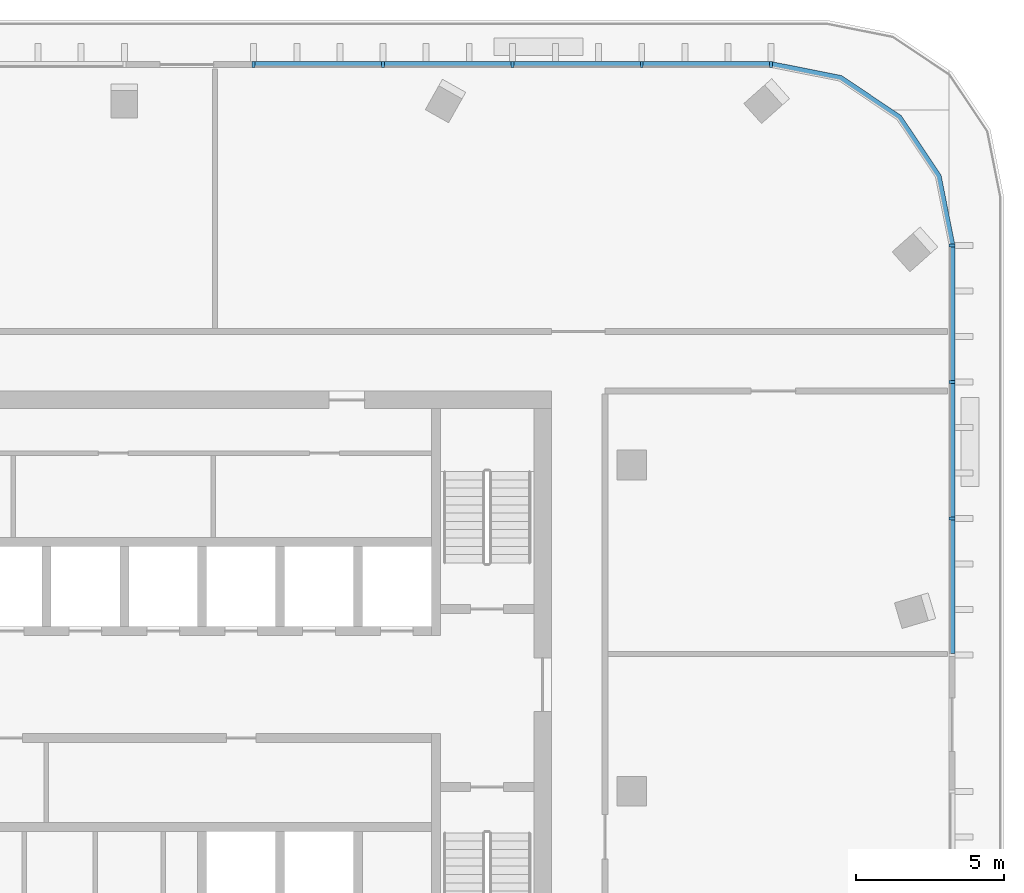
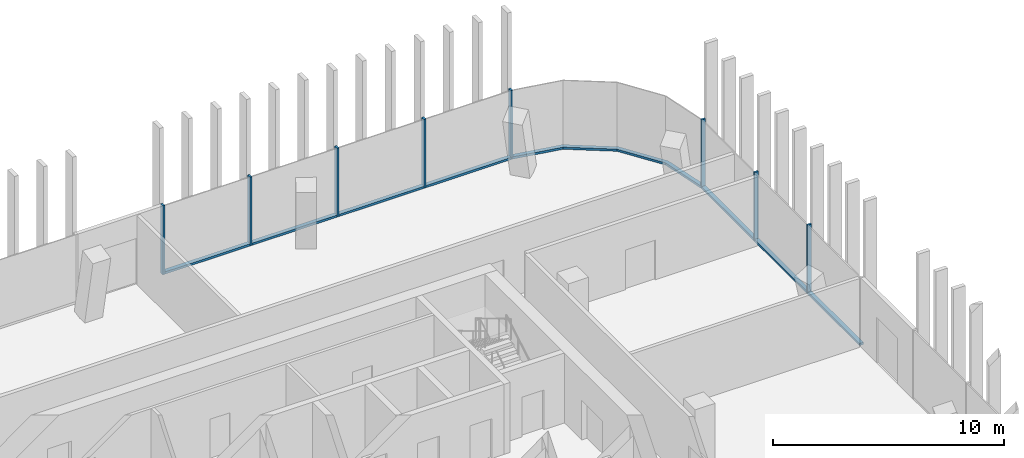
# One storey, part 5 of 16: 16 members, 3 elements without a shape of their own.
"""IFC4 building model written with IfcOpenShell, lengths in metres."""

from ifc_helpers import new_model, si_unit, direction, frame, origin, origin_2d, place, context, subcontext, project, spatial, polyline, rectangle, outline, extrude, material, material_profile, profile_set, type_object, element, aggregate, save


model = new_model("IFC4")

# Units and contexts
model_context = context("Model", 3, precision=1e-05, world=origin(), true_north=direction((0.0, 1.0)))
body_context = subcontext(model_context, "Body", "Model", "MODEL_VIEW")
ifc_project = project(units=[si_unit("LENGTHUNIT", "METRE"), si_unit("AREAUNIT", "SQUARE_METRE"), si_unit("VOLUMEUNIT", "CUBIC_METRE"), si_unit("PLANEANGLEUNIT", "RADIAN"), si_unit("MASSUNIT", "GRAM", prefix="KILO")], contexts=[model_context])

# Site, building, storey
site_placement = place(None, origin())
site = spatial("IfcSite", under=ifc_project, at=site_placement, CompositionType="ELEMENT")
building_placement = place(site_placement, origin())
building = spatial("IfcBuilding", under=site, at=building_placement, Name="Mopane Tessera Tower", CompositionType="ELEMENT")
storey_placement = place(building_placement, frame((0.0, 0.0, 321.39990234375)))
storey = spatial("IfcBuildingStorey", under=building, at=storey_placement, Name="L70", CompositionType="ELEMENT", Elevation=321.39990234375)

# Curtain wall, members
ifc_material_1 = material(Name="Aluminium frame", Category="aluminium")
curtain_wall_type = type_object("IfcCurtainWallType", Name="Unitised curtain wall", PredefinedType="NOTDEFINED", material=ifc_material_1)
curtain_wall_1_placement = place(storey_placement, origin())
curtain_wall_1 = element("IfcCurtainWall", 1, at=curtain_wall_1_placement, inside=storey, type_object=curtain_wall_type, Name="e:cw:L70:E:5", PredefinedType="NOTDEFINED")
ifc_material_2 = material(Name="Aluminium frame", Category="aluminium")
ifc_material_profile_1 = material_profile(ifc_material_2, rectangle(XDim=0.10009765625, YDim=0.199951171875, at=origin_2d()))
ifc_profile_set_1 = profile_set([ifc_material_profile_1], Name="Aluminium frame")
member_type_1 = type_object("IfcMemberType", Name="Aluminium mullion 100 x 200", PredefinedType="MULLION", material=ifc_profile_set_1)
member_1_placement = place(storey_placement, frame((27.89990234375, 9.199951171875, 0.0), z_axis=(0.0, 0.0, 1.0), x_axis=(0.0, 1.0, 0.0)))
member_1 = element("IfcMember", 2, at=member_1_placement, type_object=member_type_1, Name="e:cw:L70:E:5:mu6", PredefinedType="MULLION", context=body_context, shape_type="SweptSolid", body=[
    extrude(rectangle(XDim=0.10009765625, YDim=0.199951171875, at=origin_2d()), origin(), (0.0, 0.0, 1.0), 3.650146484375),
])
member_2_placement = place(storey_placement, frame((27.89990234375, 13.800048828125, 0.0), z_axis=(0.0, 0.0, 1.0), x_axis=(0.0, 1.0, 0.0)))
member_2 = element("IfcMember", 3, at=member_2_placement, type_object=member_type_1, Name="e:cw:L70:E:5:mu7", PredefinedType="MULLION", context=body_context, shape_type="SweptSolid", body=[
    extrude(rectangle(XDim=0.10009765625, YDim=0.199951171875, at=origin_2d()), origin(), (0.0, 0.0, 1.0), 3.650146484375),
])
member_3_placement = place(storey_placement, frame((27.89990234375, 18.39990234375, 0.0), z_axis=(0.0, 0.0, 1.0), x_axis=(0.0, 1.0, 0.0)))
member_3 = element("IfcMember", 4, at=member_3_placement, type_object=member_type_1, Name="e:cw:L70:E:5:mu8", PredefinedType="MULLION", context=body_context, shape_type="SweptSolid", body=[
    extrude(rectangle(XDim=0.10009765625, YDim=0.199951171875, at=origin_2d()), origin(), (0.0, 0.0, 1.0), 3.650146484375),
])

curtain_wall_2_placement = place(storey_placement, origin())
curtain_wall_2 = element("IfcCurtainWall", 5, at=curtain_wall_2_placement, inside=storey, type_object=curtain_wall_type, Name="e:cw:L70:N:0", PredefinedType="NOTDEFINED")
member_4_placement = place(storey_placement, frame((21.800048828125, 24.5, 0.0), z_axis=(0.0, 0.0, 1.0), x_axis=(-1.0, 0.0, 0.0)))
member_4 = element("IfcMember", 6, at=member_4_placement, type_object=member_type_1, Name="e:cw:L70:N:0:mu0", PredefinedType="MULLION", context=body_context, shape_type="SweptSolid", body=[
    extrude(rectangle(XDim=0.10009765625, YDim=0.199951171875, at=origin_2d()), origin(), (0.0, 0.0, 1.0), 3.650146484375),
])
member_5_placement = place(storey_placement, frame((17.43994140625, 24.5, 0.0), z_axis=(0.0, 0.0, 1.0), x_axis=(-1.0, 0.0, 0.0)))
member_5 = element("IfcMember", 7, at=member_5_placement, type_object=member_type_1, Name="e:cw:L70:N:0:mu1", PredefinedType="MULLION", context=body_context, shape_type="SweptSolid", body=[
    extrude(rectangle(XDim=0.10009765625, YDim=0.199951171875, at=origin_2d()), origin(), (0.0, 0.0, 1.0), 3.650146484375),
])
member_6_placement = place(storey_placement, frame((13.080078125, 24.5, 0.0), z_axis=(0.0, 0.0, 1.0), x_axis=(-1.0, 0.0, 0.0)))
member_6 = element("IfcMember", 8, at=member_6_placement, type_object=member_type_1, Name="e:cw:L70:N:0:mu2", PredefinedType="MULLION", context=body_context, shape_type="SweptSolid", body=[
    extrude(rectangle(XDim=0.10009765625, YDim=0.199951171875, at=origin_2d()), origin(), (0.0, 0.0, 1.0), 3.650146484375),
])
member_7_placement = place(storey_placement, frame((8.719970703125, 24.5, 0.0), z_axis=(0.0, 0.0, 1.0), x_axis=(-1.0, 0.0, 0.0)))
member_7 = element("IfcMember", 9, at=member_7_placement, type_object=member_type_1, Name="e:cw:L70:N:0:mu3", PredefinedType="MULLION", context=body_context, shape_type="SweptSolid", body=[
    extrude(rectangle(XDim=0.10009765625, YDim=0.199951171875, at=origin_2d()), origin(), (0.0, 0.0, 1.0), 3.650146484375),
])
member_8_placement = place(storey_placement, frame((4.360107421875, 24.5, 0.0), z_axis=(0.0, 0.0, 1.0), x_axis=(-1.0, 0.0, 0.0)))
member_8 = element("IfcMember", 10, at=member_8_placement, type_object=member_type_1, Name="e:cw:L70:N:0:mu4", PredefinedType="MULLION", context=body_context, shape_type="SweptSolid", body=[
    extrude(rectangle(XDim=0.10009765625, YDim=0.199951171875, at=origin_2d()), origin(), (0.0, 0.0, 1.0), 3.650146484375),
])

# Member
ifc_material_3 = material(Name="Aluminium frame", Category="aluminium")
ifc_material_profile_2 = material_profile(ifc_material_3, rectangle(XDim=0.199951171875, YDim=0.1201171875, at=origin_2d()))
ifc_profile_set_2 = profile_set([ifc_material_profile_2], Name="Aluminium frame")
member_type_2 = type_object("IfcMemberType", Name="Aluminium transom 200 x 120", PredefinedType="USERDEFINED", material=ifc_profile_set_2)
member_9_placement = place(storey_placement, frame((27.89990234375, 4.64990234375, 0.06005859375), z_axis=(0.0, 1.0, 0.0), x_axis=(-1.0, 0.0, 0.0)))
member_9 = element("IfcMember", 11, at=member_9_placement, type_object=member_type_2, Name="e:cw:L70:E:5:tr5", ObjectType="TRANSOM", PredefinedType="USERDEFINED", context=body_context, shape_type="SweptSolid", body=[
    extrude(rectangle(XDim=0.199951171875, YDim=0.1201171875, at=origin_2d()), origin(), (0.0, 0.0, 1.0), 4.5),
])

member_10_placement = place(storey_placement, frame((27.89990234375, 9.25, 0.06005859375), z_axis=(0.0, 1.0, 0.0), x_axis=(-1.0, 0.0, 0.0)))
member_10 = element("IfcMember", 12, at=member_10_placement, type_object=member_type_2, Name="e:cw:L70:E:5:tr6", ObjectType="TRANSOM", PredefinedType="USERDEFINED", context=body_context, shape_type="SweptSolid", body=[
    extrude(rectangle(XDim=0.199951171875, YDim=0.1201171875, at=origin_2d()), origin(), (0.0, 0.0, 1.0), 4.5),
])

member_11_placement = place(storey_placement, frame((27.89990234375, 13.85009765625, 0.06005859375), z_axis=(0.0, 1.0, 0.0), x_axis=(-1.0, 0.0, 0.0)))
member_11 = element("IfcMember", 13, at=member_11_placement, type_object=member_type_2, Name="e:cw:L70:E:5:tr7", ObjectType="TRANSOM", PredefinedType="USERDEFINED", context=body_context, shape_type="SweptSolid", body=[
    extrude(rectangle(XDim=0.199951171875, YDim=0.1201171875, at=origin_2d()), origin(), (0.0, 0.0, 1.0), 4.5),
])

aggregate(curtain_wall_1, [member_1, member_2, member_3, member_9, member_10, member_11])

# Curtain wall, member
curtain_wall_3_placement = place(storey_placement, origin())
curtain_wall_3 = element("IfcCurtainWall", 14, at=curtain_wall_3_placement, inside=storey, type_object=curtain_wall_type, Name="e:cw:L70:CE", PredefinedType="NOTDEFINED")
member_12_placement = place(storey_placement, origin())
member_12 = element("IfcMember", 15, at=member_12_placement, type_object=member_type_2, Name="e:cw:L70:CE:tr", ObjectType="TRANSOM", PredefinedType="USERDEFINED", context=body_context, shape_type="SweptSolid", body=[
    extrude(outline(polyline([(27.800048828125, 18.39990234375), (27.34326171875, 20.696044921875), (26.042724609375, 22.642578125), (24.09619140625, 23.943359375), (21.800048828125, 24.39990234375), (21.800048828125, 24.60009765625), (24.172607421875, 24.128173828125), (26.18408203125, 22.7841796875), (27.528076171875, 20.772705078125), (28.0, 18.39990234375), (27.800048828125, 18.39990234375)])), origin(), (0.0, 0.0, 1.0), 0.1201171875),
])
aggregate(curtain_wall_3, [member_12])

# Member
member_13_placement = place(storey_placement, frame((21.75, 24.5, 0.06005859375), z_axis=(-1.0, 0.0, 0.0), x_axis=(0.0, -1.0, 0.0)))
member_13 = element("IfcMember", 16, at=member_13_placement, type_object=member_type_2, Name="e:cw:L70:N:0:tr0", ObjectType="TRANSOM", PredefinedType="USERDEFINED", context=body_context, shape_type="SweptSolid", body=[
    extrude(rectangle(XDim=0.199951171875, YDim=0.1201171875, at=origin_2d()), origin(), (0.0, 0.0, 1.0), 4.260009765625),
])

member_14_placement = place(storey_placement, frame((17.389892578125, 24.5, 0.06005859375), z_axis=(-1.0, 0.0, 0.0), x_axis=(0.0, -1.0, 0.0)))
member_14 = element("IfcMember", 17, at=member_14_placement, type_object=member_type_2, Name="e:cw:L70:N:0:tr1", ObjectType="TRANSOM", PredefinedType="USERDEFINED", context=body_context, shape_type="SweptSolid", body=[
    extrude(rectangle(XDim=0.199951171875, YDim=0.1201171875, at=origin_2d()), origin(), (0.0, 0.0, 1.0), 4.260009765625),
])

member_15_placement = place(storey_placement, frame((13.030029296875, 24.5, 0.06005859375), z_axis=(-1.0, 0.0, 0.0), x_axis=(0.0, -1.0, 0.0)))
member_15 = element("IfcMember", 18, at=member_15_placement, type_object=member_type_2, Name="e:cw:L70:N:0:tr2", ObjectType="TRANSOM", PredefinedType="USERDEFINED", context=body_context, shape_type="SweptSolid", body=[
    extrude(rectangle(XDim=0.199951171875, YDim=0.1201171875, at=origin_2d()), origin(), (0.0, 0.0, 1.0), 4.260009765625),
])

member_16_placement = place(storey_placement, frame((8.669921875, 24.5, 0.06005859375), z_axis=(-1.0, 0.0, 0.0), x_axis=(0.0, -1.0, 0.0)))
member_16 = element("IfcMember", 19, at=member_16_placement, type_object=member_type_2, Name="e:cw:L70:N:0:tr3", ObjectType="TRANSOM", PredefinedType="USERDEFINED", context=body_context, shape_type="SweptSolid", body=[
    extrude(rectangle(XDim=0.199951171875, YDim=0.1201171875, at=origin_2d()), origin(), (0.0, 0.0, 1.0), 4.260009765625),
])

aggregate(curtain_wall_2, [member_4, member_5, member_6, member_7, member_8, member_13, member_14, member_15, member_16])

save(model, "model.ifc")
